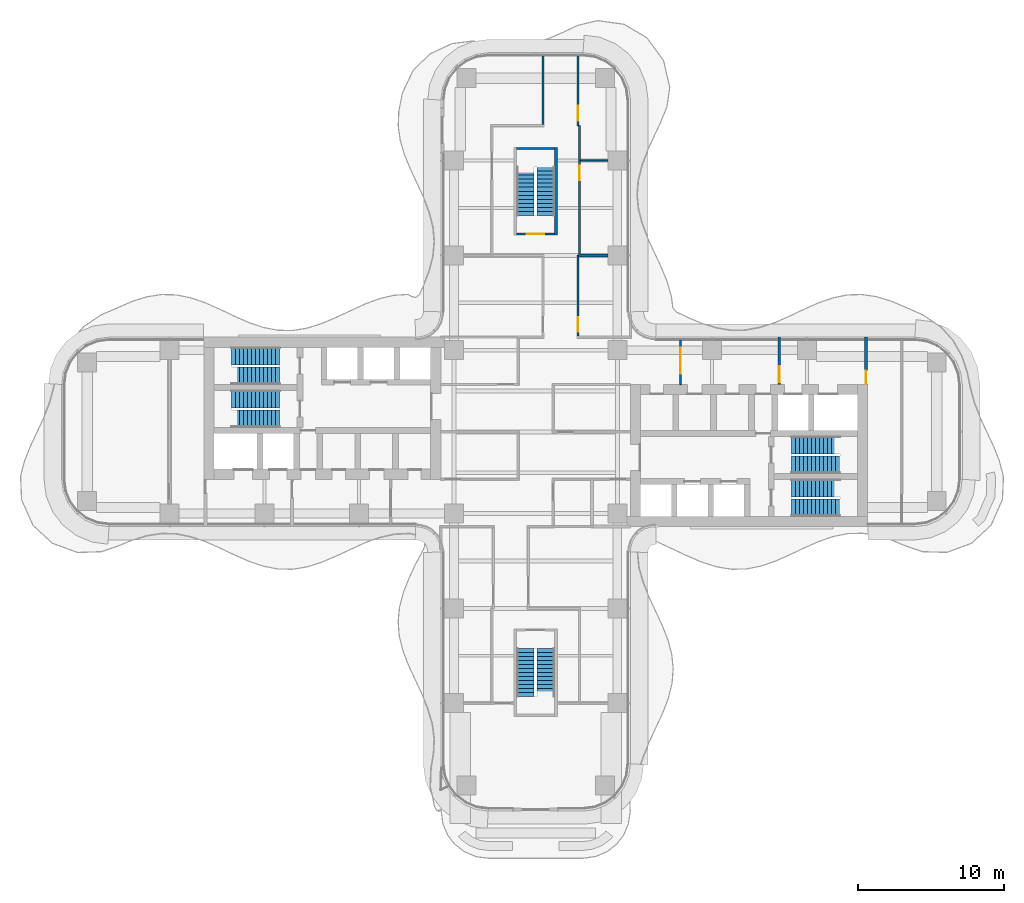
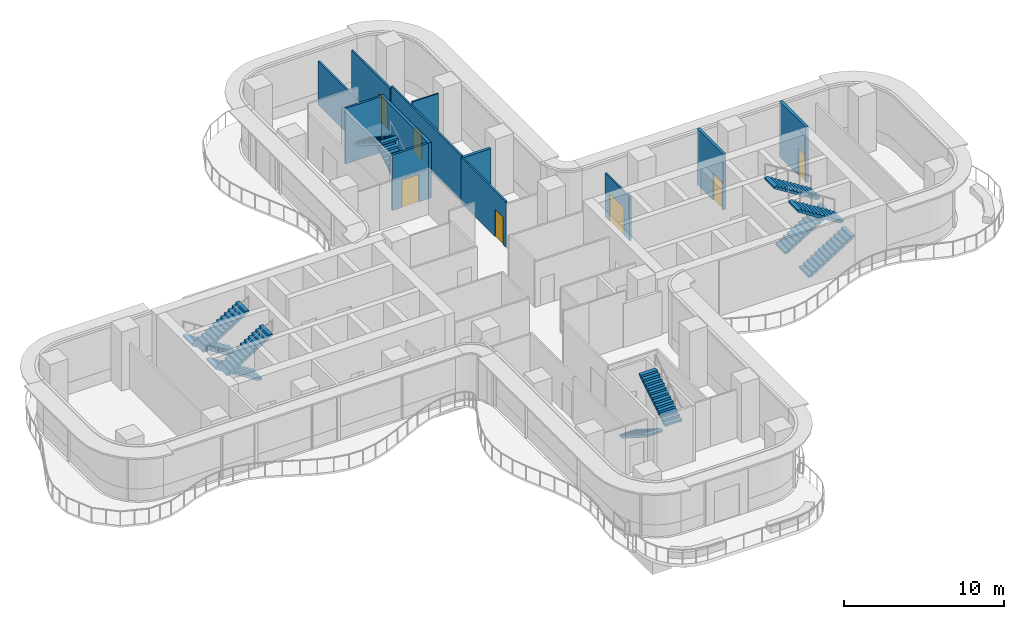
# One storey, part 20 of 22: 12 stair flights, 12 walls, 7 doors, 7 openings, 6 elements without a shape of their own.
"""IFC4 building model written with IfcOpenShell, lengths in metres."""

import ifcopenshell
import ifcopenshell.guid

model = None  # the IFC model being written
_history = None  # IfcOwnerHistory: only IFC2X3 demands one
_inside = {}  # id of a spatial element -> (the spatial element, [elements in it])
_under = {}  # id of a project, library or spatial element -> (it, [spatial elements below it])
_declared = {}  # id of a project -> (the project, [libraries it declares])
_typed = {}  # id of a type object -> (the type object, [elements of that type])
_made_of = {}  # id of a material, layer set ... -> (it, [elements and type objects made of it])


def new_model(schema):
    """Start an empty IFC model of exactly this schema.

    Asked for "IFC4X3", IfcOpenShell would pick the latest addendum, in which some entities
    have other attributes; the version numbers below select the first issue.
    IFC2X3 requires an IfcOwnerHistory on every rooted entity: one is made here for all.
    """
    global model, _history
    if schema == "IFC4X3":
        model = ifcopenshell.file(schema_version=(4, 3, 0, 0))
    else:
        model = ifcopenshell.file(schema=schema)
    _inside.clear()
    _under.clear()
    _declared.clear()
    _typed.clear()
    _made_of.clear()
    _history = None
    if model.schema == "IFC2X3":
        org = make("IfcOrganization", Name="unknown")
        user = make(
            "IfcPersonAndOrganization",
            ThePerson=make("IfcPerson", FamilyName="unknown"),
            TheOrganization=org,
        )
        app = make(
            "IfcApplication",
            ApplicationDeveloper=org,
            Version="unknown",
            ApplicationFullName="unknown",
            ApplicationIdentifier="unknown",
        )
        _history = make(
            "IfcOwnerHistory",
            OwningUser=user,
            OwningApplication=app,
            ChangeAction="ADDED",
            CreationDate=0,
        )
    return model


def make(cls, **values):
    """One entity of the class cls with the attributes given. An attribute that is None is left unset."""
    return model.create_entity(
        cls, **{name: value for name, value in values.items() if value is not None}
    )


def rooted(cls, **values):
    """An entity with a GlobalId (a new one), such as an element, a storey or a relation."""
    return make(cls, GlobalId=ifcopenshell.guid.new(), OwnerHistory=_history, **values)


def si_unit(unit_type, name, prefix=None):
    """IfcSIUnit, for example si_unit("LENGTHUNIT", "METRE", prefix="MILLI")."""
    return make("IfcSIUnit", UnitType=unit_type, Prefix=prefix, Name=name)


def assignment(units):
    """IfcUnitAssignment: the units of a project."""
    return None if units is None else make("IfcUnitAssignment", Units=units)


def point(xyz):
    """IfcCartesianPoint."""
    return None if xyz is None else make("IfcCartesianPoint", Coordinates=xyz)


def direction(xyz):
    """IfcDirection."""
    return None if xyz is None else make("IfcDirection", DirectionRatios=xyz)


def frame(location, z_axis=None, x_axis=None):
    """IfcAxis2Placement3D, a coordinate frame: its origin and axes. An axis left out is left unset."""
    return make(
        "IfcAxis2Placement3D",
        Location=point(location),
        Axis=direction(z_axis),
        RefDirection=direction(x_axis),
    )


def frame_2d(location, x_axis=None):
    """IfcAxis2Placement2D, a coordinate frame in the plane: its origin and x axis."""
    return make(
        "IfcAxis2Placement2D", Location=point(location), RefDirection=direction(x_axis)
    )


def origin():
    """The frame at (0, 0, 0) with its axes left unset."""
    return frame((0.0, 0.0, 0.0))


def place(relative_to, where):
    """IfcLocalPlacement: puts the frame where relative to a parent placement (None: the world)."""
    return make(
        "IfcLocalPlacement", PlacementRelTo=relative_to, RelativePlacement=where
    )


def context(
    kind, dimensions, precision=None, world=None, true_north=None, identifier=None
):
    """IfcGeometricRepresentationContext, for example the 3D "Model" context."""
    return make(
        "IfcGeometricRepresentationContext",
        ContextIdentifier=identifier,
        ContextType=kind,
        CoordinateSpaceDimension=dimensions,
        Precision=precision,
        WorldCoordinateSystem=world,
        TrueNorth=true_north,
    )


def subcontext(parent, identifier, kind, view, scale=None):
    """IfcGeometricRepresentationSubContext, for example "Body" below "Model"."""
    return make(
        "IfcGeometricRepresentationSubContext",
        ContextIdentifier=identifier,
        ContextType=kind,
        ParentContext=parent,
        TargetScale=scale,
        TargetView=view,
    )


def project(units=None, contexts=None):
    """IfcProject with its units and contexts."""
    return rooted(
        "IfcProject",
        Name="project",
        RepresentationContexts=contexts,
        UnitsInContext=assignment(units),
    )


def spatial(cls, under=None, at=None, **own):
    """A site, building, storey or space (cls), placed at a placement, below another one or the project."""
    s = rooted(cls, ObjectPlacement=at, **own)
    if under is not None:
        _under.setdefault(under.id(), (under, []))[1].append(s)
    return s


def polyline(points):
    """IfcPolyline through the points."""
    return make("IfcPolyline", Points=[point(p) for p in points])


def profile(cls, at=None, kind="AREA", **sizes):
    """A parametric profile (cls). Its sizes go by their IFC names, for example OverallWidth=200.0."""
    return make(cls, ProfileType=kind, Position=at, **sizes)


def rectangle(**sizes):
    """IfcRectangleProfileDef."""
    return profile("IfcRectangleProfileDef", **sizes)


def outline(outer, holes=None, kind="AREA"):
    """IfcArbitraryClosedProfileDef: a profile drawn as a closed curve; with holes, ...WithVoids."""
    if holes is None:
        return make("IfcArbitraryClosedProfileDef", ProfileType=kind, OuterCurve=outer)
    return make(
        "IfcArbitraryProfileDefWithVoids",
        ProfileType=kind,
        OuterCurve=outer,
        InnerCurves=holes,
    )


def extrude(swept, where, along, depth):
    """IfcExtrudedAreaSolid: the profile swept, set in the frame where, extruded along a direction by depth."""
    return make(
        "IfcExtrudedAreaSolid",
        SweptArea=swept,
        Position=where,
        ExtrudedDirection=direction(along),
        Depth=depth,
    )


def shape(context_of_items, identifier, shape_type, items):
    """IfcShapeRepresentation: the items that make up one representation, for example the "Body"."""
    return make(
        "IfcShapeRepresentation",
        ContextOfItems=context_of_items,
        RepresentationIdentifier=identifier,
        RepresentationType=shape_type,
        Items=items,
    )


def source(mapping_origin, context_of_items, identifier, shape_type, items):
    """IfcRepresentationMap: a shape defined once, which mapped items show again and again."""
    return make(
        "IfcRepresentationMap",
        MappingOrigin=mapping_origin,
        MappedRepresentation=shape(context_of_items, identifier, shape_type, items),
    )


def transform(
    local_origin,
    x_axis=None,
    y_axis=None,
    z_axis=None,
    scale=None,
    scale2=None,
    scale3=None,
    uniform=True,
):
    """IfcCartesianTransformationOperator3D, or its non-uniform kind. x_axis, y_axis, z_axis: its Axis1, 2, 3."""
    if uniform:
        return make(
            "IfcCartesianTransformationOperator3D",
            Axis1=direction(x_axis),
            Axis2=direction(y_axis),
            LocalOrigin=point(local_origin),
            Scale=scale,
            Axis3=direction(z_axis),
        )
    return make(
        "IfcCartesianTransformationOperator3DnonUniform",
        Axis1=direction(x_axis),
        Axis2=direction(y_axis),
        LocalOrigin=point(local_origin),
        Scale=scale,
        Axis3=direction(z_axis),
        Scale2=scale2,
        Scale3=scale3,
    )


def mapped(mapping_source, mapping_target):
    """IfcMappedItem: shows the shape of a source again, moved by a transform."""
    return make(
        "IfcMappedItem", MappingSource=mapping_source, MappingTarget=mapping_target
    )


def material(Name=None, Category=None):
    """IfcMaterial."""
    return make("IfcMaterial", Name=Name, Category=Category)


def layer(
    of_material, thickness, ventilated=None, Name=None, Category=None, Priority=None
):
    """IfcMaterialLayer: one layer of a wall or slab, of a material (None: an air gap)."""
    return make(
        "IfcMaterialLayer",
        Material=of_material,
        LayerThickness=thickness,
        IsVentilated=ventilated,
        Name=Name,
        Category=Category,
        Priority=Priority,
    )


def layer_set(layers, Name=None):
    """IfcMaterialLayerSet."""
    return make("IfcMaterialLayerSet", MaterialLayers=layers, LayerSetName=Name)


def made_of(thing, what):
    """Note that an element or type object is made of a material, layer set ...; save() writes the relation."""
    if what is not None:
        _made_of.setdefault(what.id(), (what, []))[1].append(thing)
    return thing


def type_object(cls, material=None, **own):
    """A type object (cls), such as IfcWallType, which elements share."""
    return made_of(rooted(cls, **own), material)


def element(
    cls,
    number,
    at=None,
    inside=None,
    cuts=None,
    type_object=None,
    material=None,
    context=None,
    identifier="Body",
    shape_type=None,
    held_by="IfcProductDefinitionShape",
    body=None,
    shapes=None,
    **own,
):
    """One element of the class cls, such as IfcWall. Its Tag is "e" and its number.

    at: its placement. inside: the storey or other place that contains it. cuts: it is an
    opening in that element (IfcRelVoidsElement). A single representation is given by context,
    identifier, shape_type and body (its items); several are given by shapes. held_by: the class
    of the entity that holds the representations. save() writes the other relations.
    """
    e = rooted(cls, Tag="e%d" % number, ObjectPlacement=at, **own)
    if body is not None:
        shapes = [shape(context, identifier, shape_type, body)]
    if shapes is not None:
        e.Representation = make(held_by, Representations=shapes)
    if inside is not None:
        _inside.setdefault(inside.id(), (inside, []))[1].append(e)
    if cuts is not None:
        rooted(
            "IfcRelVoidsElement", RelatingBuildingElement=cuts, RelatedOpeningElement=e
        )
    if type_object is not None:
        _typed.setdefault(type_object.id(), (type_object, []))[1].append(e)
    return made_of(e, material)


def fill(opening, filler):
    """IfcRelFillsElement: the door or window that sits in an opening."""
    return rooted(
        "IfcRelFillsElement",
        RelatingOpeningElement=opening,
        RelatedBuildingElement=filler,
    )


def aggregate(whole, parts):
    """IfcRelAggregates: a whole, such as a stair, and the parts it consists of."""
    return rooted("IfcRelAggregates", RelatingObject=whole, RelatedObjects=parts)


def save(model, path):
    """Write the relations noted so far, then the file.

    IfcRelAggregates (storeys below a building ...), IfcRelContainedInSpatialStructure (elements
    in a storey), IfcRelDefinesByType, IfcRelAssociatesMaterial and IfcRelDeclares: one each for
    every whole, place, type object, material and project.
    """
    for whole, parts in _under.values():
        aggregate(whole, parts)
    for where, things in _inside.values():
        rooted(
            "IfcRelContainedInSpatialStructure",
            RelatedElements=things,
            RelatingStructure=where,
        )
    for kind, things in _typed.values():
        rooted("IfcRelDefinesByType", RelatedObjects=things, RelatingType=kind)
    for what, things in _made_of.values():
        rooted("IfcRelAssociatesMaterial", RelatedObjects=things, RelatingMaterial=what)
    for by, libraries in _declared.values():
        rooted("IfcRelDeclares", RelatingContext=by, RelatedDefinitions=libraries)
    model.write(path)


model = new_model("IFC4")

# Units and contexts
model_context = context("Model", 3, precision=1e-05, world=origin(), true_north=direction((0.0, 1.0)))
body_context = subcontext(model_context, "Body", "Model", "MODEL_VIEW")
ifc_project = project(units=[si_unit("LENGTHUNIT", "METRE"), si_unit("AREAUNIT", "SQUARE_METRE"), si_unit("VOLUMEUNIT", "CUBIC_METRE"), si_unit("PLANEANGLEUNIT", "RADIAN"), si_unit("MASSUNIT", "GRAM", prefix="KILO")], contexts=[model_context])

# Site, building, storey
site_placement = place(None, origin())
site = spatial("IfcSite", under=ifc_project, at=site_placement, CompositionType="ELEMENT")
building_placement = place(site_placement, origin())
building = spatial("IfcBuilding", under=site, at=building_placement, Name="Trellis Farm Tower", CompositionType="ELEMENT")
storey_placement = place(building_placement, frame((0.0, 0.0, 124.5)))
storey = spatial("IfcBuildingStorey", under=building, at=storey_placement, Name="L26", CompositionType="ELEMENT", Elevation=124.5)

# Wall, opening, door
ifc_material_1 = material(Name="Masonry blockwork", Category="masonry")
ifc_layer_1 = layer(ifc_material_1, 0.199951171875)
ifc_layer_set_1 = layer_set([ifc_layer_1], Name="FIRE LOBBY PARTITION 200 BLOCKWORK")
wall_type_1 = type_object("IfcWallType", Name="FIRE LOBBY PARTITION 200 BLOCKWORK", PredefinedType="PARTITIONING", material=ifc_layer_set_1)
shared_shape_1 = source(origin(), body_context, "Body", "SweptSolid", [
    extrude(rectangle(XDim=3.25, YDim=0.199951171875, at=frame_2d((1.625, 0.0))), origin(), (0.0, 0.0, 1.0), 4.25),
])
wall_1_placement = place(storey_placement, frame((16.699951171875, 3.25, 0.0), z_axis=(0.0, 0.0, 1.0), x_axis=(0.0, 1.0, 0.0)))
wall_1 = element("IfcWall", 1, at=wall_1_placement, inside=storey, type_object=wall_type_1, Name="Fire-fighting lobby partition", PredefinedType="PARTITIONING", context=body_context, shape_type="MappedRepresentation", body=[
    mapped(shared_shape_1, transform((0.0, 0.0, 0.0))),
])
shared_shape_2 = source(origin(), body_context, "Body", "SweptSolid", [
    extrude(rectangle(XDim=1.10009765625, YDim=2.10009765625, at=frame_2d((0.550048828125, 1.050048828125))), frame((0.0, 0.110107421875, 0.0), z_axis=(0.0, -1.0, 0.0), x_axis=(1.0, 0.0, 0.0)), (0.0, 0.0, 1.0), 0.22021484375),
])
opening_1_placement = place(wall_1_placement, frame((0.14990234375, 0.0, 0.0)))
opening_1 = element("IfcOpeningElement", 2, at=opening_1_placement, cuts=wall_1, Name="Opening DC7", PredefinedType="OPENING", context=body_context, shape_type="MappedRepresentation", body=[
    mapped(shared_shape_2, transform((0.0, 0.0, 0.0))),
])
ifc_material_2 = material(Name="Steel", Category="steel")
door_type_1 = type_object("IfcDoorType", Name="CORE FIRE DOOR 1100 X 2100", OperationType="NOTDEFINED", PredefinedType="DOOR", material=ifc_material_2)
shared_shape_3 = source(origin(), body_context, "Body", "SweptSolid", [
    extrude(rectangle(XDim=1.10009765625, YDim=2.10009765625, at=frame_2d((0.550048828125, 1.050048828125))), frame((0.0, 0.02490234375, 0.0), z_axis=(0.0, -1.0, 0.0), x_axis=(1.0, 0.0, 0.0)), (0.0, 0.0, 1.0), 0.050048828125),
])
door_1_placement = place(opening_1_placement, origin())
door_1 = element("IfcDoor", 3, at=door_1_placement, inside=storey, type_object=door_type_1, Name="Core door", OperationType="SINGLE_SWING_RIGHT", OverallHeight=2.10009765625, OverallWidth=1.10009765625, PredefinedType="DOOR", context=body_context, shape_type="MappedRepresentation", body=[
    mapped(shared_shape_3, transform((0.0, 0.0, 0.0))),
])
fill(opening_1, door_1)

wall_2_placement = place(storey_placement, frame((22.64990234375, 3.25, 0.0), z_axis=(0.0, 0.0, 1.0), x_axis=(0.0, 1.0, 0.0)))
wall_2 = element("IfcWall", 4, at=wall_2_placement, inside=storey, type_object=wall_type_1, Name="Fire-fighting lobby partition", PredefinedType="PARTITIONING", context=body_context, shape_type="MappedRepresentation", body=[
    mapped(shared_shape_1, transform((0.0, 0.0, 0.0))),
])
shared_shape_4 = source(origin(), body_context, "Body", "SweptSolid", [
    extrude(rectangle(XDim=0.89990234375, YDim=2.10009765625, at=frame_2d((0.449951171875, 1.050048828125))), frame((0.0, 0.110107421875, 0.0), z_axis=(0.0, -1.0, 0.0), x_axis=(1.0, 0.0, 0.0)), (0.0, 0.0, 1.0), 0.22021484375),
])
opening_2_placement = place(wall_2_placement, frame((0.050048828125, 0.0, 0.0)))
opening_2 = element("IfcOpeningElement", 5, at=opening_2_placement, cuts=wall_2, Name="Opening DC8", PredefinedType="OPENING", context=body_context, shape_type="MappedRepresentation", body=[
    mapped(shared_shape_4, transform((0.0, 0.0, 0.0))),
])
door_type_2 = type_object("IfcDoorType", Name="CORE FIRE DOOR 900 X 2100", OperationType="NOTDEFINED", PredefinedType="DOOR", material=ifc_material_2)
shared_shape_5 = source(origin(), body_context, "Body", "SweptSolid", [
    extrude(rectangle(XDim=0.89990234375, YDim=2.10009765625, at=frame_2d((0.449951171875, 1.050048828125))), frame((0.0, 0.02490234375, 0.0), z_axis=(0.0, -1.0, 0.0), x_axis=(1.0, 0.0, 0.0)), (0.0, 0.0, 1.0), 0.050048828125),
])
door_2_placement = place(opening_2_placement, origin())
door_2 = element("IfcDoor", 6, at=door_2_placement, inside=storey, type_object=door_type_2, Name="Core door", OperationType="SINGLE_SWING_RIGHT", OverallHeight=2.10009765625, OverallWidth=0.89990234375, PredefinedType="DOOR", context=body_context, shape_type="MappedRepresentation", body=[
    mapped(shared_shape_5, transform((0.0, 0.0, 0.0))),
])
fill(opening_2, door_2)

# Wall
ifc_material_3 = material(Name="Concrete C70/85", Category="concrete")
ifc_layer_2 = layer(ifc_material_3, 0.199951171875)
ifc_layer_set_2 = layer_set([ifc_layer_2], Name="CORE STAIR ENCLOSURE WALL 200 CONCRETE C70/85")
wall_type_2 = type_object("IfcWallType", Name="CORE STAIR ENCLOSURE WALL 200 CONCRETE C70/85", PredefinedType="SHEAR", material=ifc_layer_set_2)
shared_shape_6 = source(origin(), body_context, "Body", "SweptSolid", [
    extrude(rectangle(XDim=6.0, YDim=0.199951171875, at=frame_2d((3.0, 0.0))), origin(), (0.0, 0.0, 1.0), 4.25),
])
wall_3_placement = place(storey_placement, frame((1.39990234375, 13.5, 0.0), z_axis=(0.0, 0.0, 1.0), x_axis=(0.0, 1.0, 0.0)))
element("IfcWall", 7, at=wall_3_placement, inside=storey, type_object=wall_type_2, Name="Stair enclosure wall", PredefinedType="SHEAR", context=body_context, shape_type="MappedRepresentation", body=[
    mapped(shared_shape_6, transform((0.0, 0.0, 0.0))),
])

# Wall, opening, door
ifc_layer_3 = layer(ifc_material_3, 0.14990234375)
ifc_layer_set_3 = layer_set([ifc_layer_3], Name="CORE STAIR ENCLOSURE WALL 150 CONCRETE C70/85")
wall_type_3 = type_object("IfcWallType", Name="CORE STAIR ENCLOSURE WALL 150 CONCRETE C70/85", PredefinedType="SHEAR", material=ifc_layer_set_3)
shared_shape_7 = source(origin(), body_context, "Body", "SweptSolid", [
    extrude(rectangle(XDim=2.60009765625, YDim=0.14990234375, at=frame_2d((1.300048828125, 0.0))), origin(), (0.0, 0.0, 1.0), 4.25),
])
wall_4_placement = place(storey_placement, frame((-1.300048828125, 13.574951171875, 0.0), z_axis=(0.0, 0.0, 1.0), x_axis=(1.0, 0.0, 0.0)))
wall_4 = element("IfcWall", 8, at=wall_4_placement, inside=storey, type_object=wall_type_3, Name="Stair enclosure wall", PredefinedType="SHEAR", context=body_context, shape_type="MappedRepresentation", body=[
    mapped(shared_shape_7, transform((0.0, 0.0, 0.0))),
])
shared_shape_8 = source(origin(), body_context, "Body", "SweptSolid", [
    extrude(rectangle(XDim=1.199951171875, YDim=2.10009765625, at=frame_2d((0.60009765625, 1.050048828125))), frame((0.0, 0.0849609375, 0.0), z_axis=(0.0, -1.0, 0.0), x_axis=(1.0, 0.0, 0.0)), (0.0, 0.0, 1.0), 0.169921875),
])
opening_3_placement = place(wall_4_placement, frame((0.699951171875, 0.0, 0.0)))
opening_3 = element("IfcOpeningElement", 9, at=opening_3_placement, cuts=wall_4, Name="Opening DC173", PredefinedType="OPENING", context=body_context, shape_type="MappedRepresentation", body=[
    mapped(shared_shape_8, transform((0.0, 0.0, 0.0))),
])
door_type_3 = type_object("IfcDoorType", Name="CORE FIRE DOOR 1200 X 2100", OperationType="NOTDEFINED", PredefinedType="DOOR", material=ifc_material_2)
shared_shape_9 = source(origin(), body_context, "Body", "SweptSolid", [
    extrude(rectangle(XDim=1.199951171875, YDim=2.10009765625, at=frame_2d((0.60009765625, 1.050048828125))), frame((0.0, 0.02490234375, 0.0), z_axis=(0.0, -1.0, 0.0), x_axis=(1.0, 0.0, 0.0)), (0.0, 0.0, 1.0), 0.050048828125),
])
door_3_placement = place(opening_3_placement, origin())
door_3 = element("IfcDoor", 10, at=door_3_placement, inside=storey, type_object=door_type_3, Name="Core door", OperationType="SINGLE_SWING_LEFT", OverallHeight=2.10009765625, OverallWidth=1.199951171875, PredefinedType="DOOR", context=body_context, shape_type="MappedRepresentation", body=[
    mapped(shared_shape_9, transform((0.0, 0.0, 0.0))),
])
fill(opening_3, door_3)

# Wall
wall_5_placement = place(storey_placement, frame((-1.300048828125, 19.425048828125, 0.0), z_axis=(0.0, 0.0, 1.0), x_axis=(1.0, 0.0, 0.0)))
element("IfcWall", 11, at=wall_5_placement, inside=storey, type_object=wall_type_3, Name="Stair enclosure wall", PredefinedType="SHEAR", context=body_context, shape_type="MappedRepresentation", body=[
    mapped(shared_shape_7, transform((0.0, 0.0, 0.0))),
])

# Wall, opening, door
ifc_material_4 = material(Name="Plasterboard on steel studs, mineral wool", Category="steel")
ifc_layer_4 = layer(ifc_material_4, 0.125)
ifc_layer_set_4 = layer_set([ifc_layer_4], Name="PARTITION 125 STUD EI 60")
wall_type_4 = type_object("IfcWallType", Name="PARTITION 125 STUD EI 60", PredefinedType="PARTITIONING", material=ifc_layer_set_4)
shared_shape_10 = source(origin(), body_context, "Body", "SweptSolid", [
    extrude(rectangle(XDim=3.050048828125, YDim=0.125, at=frame_2d((1.52490234375, 0.0))), origin(), (0.0, 0.0, 1.0), 3.330078125),
])
wall_6_placement = place(storey_placement, frame((9.93408203125, 3.25, 0.0), z_axis=(0.0, 0.0, 1.0), x_axis=(0.0, 1.0, 0.0)))
wall_6 = element("IfcWall", 12, at=wall_6_placement, inside=storey, type_object=wall_type_4, Name="Partition PW1", PredefinedType="PARTITIONING", context=body_context, shape_type="MappedRepresentation", body=[
    mapped(shared_shape_10, transform((0.0, 0.0, 0.0))),
])
shared_shape_11 = source(origin(), body_context, "Body", "SweptSolid", [
    extrude(rectangle(XDim=1.800048828125, YDim=2.10009765625, at=frame_2d((0.89990234375, 1.050048828125))), frame((0.0, 0.072509765625, 0.0), z_axis=(0.0, -1.0, 0.0), x_axis=(1.0, 0.0, 0.0)), (0.0, 0.0, 1.0), 0.14501953125),
])
opening_4_placement = place(wall_6_placement, frame((0.72509765625, 0.0, 0.0)))
opening_4 = element("IfcOpeningElement", 13, at=opening_4_placement, cuts=wall_6, Name="Opening D402", PredefinedType="OPENING", context=body_context, shape_type="MappedRepresentation", body=[
    mapped(shared_shape_11, transform((0.0, 0.0, 0.0))),
])
ifc_material_5 = material(Name="Fire-rated timber door leaf in a hollow metal frame", Category="wood")
door_type_4 = type_object("IfcDoorType", Name="DOOR PAIR 1800x2100 FD60", OperationType="NOTDEFINED", PredefinedType="DOOR", material=ifc_material_5)
shared_shape_12 = source(origin(), body_context, "Body", "SweptSolid", [
    extrude(rectangle(XDim=1.800048828125, YDim=2.10009765625, at=frame_2d((0.89990234375, 1.050048828125))), frame((0.0, 0.02490234375, 0.0), z_axis=(0.0, -1.0, 0.0), x_axis=(1.0, 0.0, 0.0)), (0.0, 0.0, 1.0), 0.050048828125),
])
door_4_placement = place(opening_4_placement, origin())
door_4 = element("IfcDoor", 14, at=door_4_placement, inside=storey, type_object=door_type_4, Name="Door D402", OperationType="DOUBLE_DOOR_SINGLE_SWING", OverallHeight=2.10009765625, OverallWidth=1.800048828125, PredefinedType="DOOR", context=body_context, shape_type="MappedRepresentation", body=[
    mapped(shared_shape_12, transform((0.0, 0.0, 0.0))),
])
fill(opening_4, door_4)

# Wall
shared_shape_13 = source(origin(), body_context, "Body", "SweptSolid", [
    extrude(rectangle(XDim=4.737548828125, YDim=0.125, at=frame_2d((2.36865234375, 0.0))), origin(), (0.0, 0.0, 1.0), 3.330078125),
])
wall_7_placement = place(storey_placement, frame((0.5, 25.800048828125, 0.0), z_axis=(0.0, 0.0, 1.0), x_axis=(0.0, -1.0, 0.0)))
element("IfcWall", 15, at=wall_7_placement, inside=storey, type_object=wall_type_4, Name="Partition PW1", PredefinedType="PARTITIONING", context=body_context, shape_type="MappedRepresentation", body=[
    mapped(shared_shape_13, transform((0.0, 0.0, 0.0))),
])

# Wall, opening, door
shared_shape_14 = source(origin(), body_context, "Body", "SweptSolid", [
    extrude(rectangle(XDim=5.53759765625, YDim=0.125, at=frame_2d((2.768798828125, 0.0))), origin(), (0.0, 0.0, 1.0), 3.4677734375),
])
wall_8_placement = place(storey_placement, frame((2.89990234375, 12.10009765625, 0.0), z_axis=(0.0, 0.0, 1.0), x_axis=(0.0, -1.0, 0.0)))
wall_8 = element("IfcWall", 16, at=wall_8_placement, inside=storey, type_object=wall_type_4, Name="Partition PW1", PredefinedType="PARTITIONING", context=body_context, shape_type="MappedRepresentation", body=[
    mapped(shared_shape_14, transform((0.0, 0.0, 0.0))),
])
shared_shape_15 = source(origin(), body_context, "Body", "SweptSolid", [
    extrude(rectangle(XDim=1.0, YDim=2.10009765625, at=frame_2d((0.5, 1.050048828125))), frame((0.0, 0.072509765625, 0.0), z_axis=(0.0, -1.0, 0.0), x_axis=(1.0, 0.0, 0.0)), (0.0, 0.0, 1.0), 0.14501953125),
])
opening_5_placement = place(wall_8_placement, frame((4.25, 0.0, 0.0)))
opening_5 = element("IfcOpeningElement", 17, at=opening_5_placement, cuts=wall_8, Name="Opening D302", PredefinedType="OPENING", context=body_context, shape_type="MappedRepresentation", body=[
    mapped(shared_shape_15, transform((0.0, 0.0, 0.0))),
])
door_type_5 = type_object("IfcDoorType", Name="DOOR 1000x2100 FD60", OperationType="NOTDEFINED", PredefinedType="DOOR", material=ifc_material_5)
shared_shape_16 = source(origin(), body_context, "Body", "SweptSolid", [
    extrude(rectangle(XDim=1.0, YDim=2.10009765625, at=frame_2d((0.5, 1.050048828125))), frame((0.0, 0.02490234375, 0.0), z_axis=(0.0, -1.0, 0.0), x_axis=(1.0, 0.0, 0.0)), (0.0, 0.0, 1.0), 0.050048828125),
])
door_5_placement = place(opening_5_placement, origin())
door_5 = element("IfcDoor", 18, at=door_5_placement, inside=storey, type_object=door_type_5, Name="Door D302", OperationType="SINGLE_SWING_RIGHT", OverallHeight=2.10009765625, OverallWidth=1.0, PredefinedType="DOOR", context=body_context, shape_type="MappedRepresentation", body=[
    mapped(shared_shape_16, transform((0.0, 0.0, 0.0))),
])
fill(opening_5, door_5)

# Wall
ifc_material_6 = material(Name="Lightweight blockwork, plastered", Category="masonry")
ifc_layer_5 = layer(ifc_material_6, 0.199951171875)
ifc_layer_set_5 = layer_set([ifc_layer_5], Name="BLOCK WALL 200 EI 120")
wall_type_5 = type_object("IfcWallType", Name="BLOCK WALL 200 EI 120", PredefinedType="PARTITIONING", material=ifc_layer_set_5)
shared_shape_17 = source(origin(), body_context, "Body", "SweptSolid", [
    extrude(rectangle(XDim=2.012451171875, YDim=0.199951171875, at=frame_2d((1.00634765625, 0.0))), origin(), (0.0, 0.0, 1.0), 3.4677734375),
])
wall_9_placement = place(storey_placement, frame((2.9375, 12.10009765625, 0.0), z_axis=(0.0, 0.0, 1.0), x_axis=(1.0, 0.0, 0.0)))
element("IfcWall", 19, at=wall_9_placement, inside=storey, type_object=wall_type_5, Name="Partition PW3", PredefinedType="PARTITIONING", context=body_context, shape_type="MappedRepresentation", body=[
    mapped(shared_shape_17, transform((0.0, 0.0, 0.0))),
])

# Wall, opening, door
shared_shape_18 = source(origin(), body_context, "Body", "SweptSolid", [
    extrude(rectangle(XDim=4.800048828125, YDim=0.125, at=frame_2d((2.39990234375, 0.0))), origin(), (0.0, 0.0, 1.0), 3.330078125),
])
wall_10_placement = place(storey_placement, frame((2.89990234375, 25.800048828125, 0.0), z_axis=(0.0, 0.0, 1.0), x_axis=(0.0, -1.0, 0.0)))
wall_10 = element("IfcWall", 20, at=wall_10_placement, inside=storey, type_object=wall_type_4, Name="Partition PW1", PredefinedType="PARTITIONING", context=body_context, shape_type="MappedRepresentation", body=[
    mapped(shared_shape_18, transform((0.0, 0.0, 0.0))),
])
opening_6_placement = place(wall_10_placement, frame((3.449951171875, 0.0, 0.0)))
opening_6 = element("IfcOpeningElement", 21, at=opening_6_placement, cuts=wall_10, Name="Opening D108", PredefinedType="OPENING", context=body_context, shape_type="MappedRepresentation", body=[
    mapped(shared_shape_15, transform((0.0, 0.0, 0.0))),
])
door_type_6 = type_object("IfcDoorType", Name="DOOR 1000x2100 FD30S", OperationType="NOTDEFINED", PredefinedType="DOOR", material=ifc_material_5)
door_6_placement = place(opening_6_placement, origin())
door_6 = element("IfcDoor", 22, at=door_6_placement, inside=storey, type_object=door_type_6, Name="Door D108", OperationType="SINGLE_SWING_RIGHT", OverallHeight=2.10009765625, OverallWidth=1.0, PredefinedType="DOOR", context=body_context, shape_type="MappedRepresentation", body=[
    mapped(shared_shape_16, transform((0.0, 0.0, 0.0))),
])
fill(opening_6, door_6)

shared_shape_19 = source(origin(), body_context, "Body", "SweptSolid", [
    extrude(rectangle(XDim=8.800048828125, YDim=0.125, at=frame_2d((4.39990234375, 0.0))), origin(), (0.0, 0.0, 1.0), 3.4677734375),
])
wall_11_placement = place(storey_placement, frame((3.0, 21.0, 0.0), z_axis=(0.0, 0.0, 1.0), x_axis=(0.0, -1.0, 0.0)))
wall_11 = element("IfcWall", 23, at=wall_11_placement, inside=storey, type_object=wall_type_4, Name="Partition PW1", PredefinedType="PARTITIONING", context=body_context, shape_type="MappedRepresentation", body=[
    mapped(shared_shape_19, transform((0.0, 0.0, 0.0))),
])
opening_7_placement = place(wall_11_placement, frame((2.75, 0.0, 0.0)))
opening_7 = element("IfcOpeningElement", 24, at=opening_7_placement, cuts=wall_11, Name="Opening D107", PredefinedType="OPENING", context=body_context, shape_type="MappedRepresentation", body=[
    mapped(shared_shape_15, transform((0.0, 0.0, 0.0))),
])
door_7_placement = place(opening_7_placement, origin())
door_7 = element("IfcDoor", 25, at=door_7_placement, inside=storey, type_object=door_type_6, Name="Door D107", OperationType="SINGLE_SWING_LEFT", OverallHeight=2.10009765625, OverallWidth=1.0, PredefinedType="DOOR", context=body_context, shape_type="MappedRepresentation", body=[
    mapped(shared_shape_16, transform((0.0, 0.0, 0.0))),
])
fill(opening_7, door_7)

# Wall
ifc_material_7 = material(Name="Plasterboard on steel studs", Category="steel")
ifc_layer_6 = layer(ifc_material_7, 0.10009765625)
ifc_layer_set_6 = layer_set([ifc_layer_6], Name="PARTITION 100 STUD EI 30")
wall_type_6 = type_object("IfcWallType", Name="PARTITION 100 STUD EI 30", PredefinedType="PARTITIONING", material=ifc_layer_set_6)
shared_shape_20 = source(origin(), body_context, "Body", "SweptSolid", [
    extrude(rectangle(XDim=1.887451171875, YDim=0.10009765625, at=frame_2d((0.94384765625, 0.0))), origin(), (0.0, 0.0, 1.0), 3.697021484375),
])
wall_12_placement = place(storey_placement, frame((3.0625, 18.60009765625, 0.0), z_axis=(0.0, 0.0, 1.0), x_axis=(1.0, 0.0, 0.0)))
element("IfcWall", 26, at=wall_12_placement, inside=storey, type_object=wall_type_6, Name="Partition PW2", PredefinedType="PARTITIONING", context=body_context, shape_type="MappedRepresentation", body=[
    mapped(shared_shape_20, transform((0.0, 0.0, 0.0))),
])

# Stair, stair flights
ifc_material_8 = material(Name="Concrete C50/60", Category="concrete")
stair_type = type_object("IfcStairType", Name="CORE EXIT STAIR 26 RISERS 173 MM", PredefinedType="HALF_TURN_STAIR", material=ifc_material_8)
placement = place(storey_placement, origin())
stair_1 = element("IfcStair", 27, at=placement, inside=storey, type_object=stair_type, Name="Exit stair N", PredefinedType="HALF_TURN_STAIR")
stair_flight_type = type_object("IfcStairFlightType", Name="STAIR FLIGHT 13 RISERS 173 MM", PredefinedType="STRAIGHT", material=ifc_material_8)
shared_shape_21 = source(origin(), body_context, "Body", "SweptSolid", [
    extrude(outline(polyline([(0.0, 0.0), (0.0, 0.173095703125), (0.27490234375, 0.173095703125), (0.27490234375, 0.34619140625), (0.550048828125, 0.34619140625), (0.550048828125, 0.519287109375), (0.824951171875, 0.519287109375), (0.824951171875, 0.6923828125), (1.10009765625, 0.6923828125), (1.10009765625, 0.865478515625), (1.375, 0.865478515625), (1.375, 1.03857421875), (1.64990234375, 1.03857421875), (1.64990234375, 1.21142578125), (1.925048828125, 1.21142578125), (1.925048828125, 1.384521484375), (2.199951171875, 1.384521484375), (2.199951171875, 1.5576171875), (2.47509765625, 1.5576171875), (2.47509765625, 1.730712890625), (2.75, 1.730712890625), (2.75, 1.90380859375), (3.02490234375, 1.90380859375), (3.02490234375, 2.076904296875), (3.300048828125, 2.076904296875), (3.300048828125, 2.25), (3.300048828125, 1.92333984375), (0.243896484375, 0.0), (0.0, 0.0)])), frame((0.0, 0.60009765625, 0.0), z_axis=(0.0, -1.0, 0.0), x_axis=(1.0, 0.0, 0.0)), (0.0, 0.0, 1.0), 1.199951171875),
])
stair_flight_1_placement = place(storey_placement, frame((0.699951171875, 14.85009765625, 0.0), z_axis=(0.0, 0.0, 1.0), x_axis=(0.0, 1.0, 0.0)))
stair_flight_1 = element("IfcStairFlight", 28, at=stair_flight_1_placement, type_object=stair_flight_type, Name="STN flight 1", NumberOfRisers=13, NumberOfTreads=12, PredefinedType="STRAIGHT", RiserHeight=0.173076923, TreadLength=0.275, context=body_context, shape_type="MappedRepresentation", body=[
    mapped(shared_shape_21, transform((0.0, 0.0, 0.0))),
])
stair_flight_2_placement = place(storey_placement, frame((-0.699951171875, 18.14990234375, 2.25), z_axis=(0.0, 0.0, 1.0), x_axis=(0.0, -1.0, 0.0)))
stair_flight_2 = element("IfcStairFlight", 29, at=stair_flight_2_placement, type_object=stair_flight_type, Name="STN flight 2", NumberOfRisers=13, NumberOfTreads=12, PredefinedType="STRAIGHT", RiserHeight=0.173076923, TreadLength=0.275, context=body_context, shape_type="MappedRepresentation", body=[
    mapped(shared_shape_21, transform((0.0, 0.0, 0.0))),
])
aggregate(stair_1, [stair_flight_1, stair_flight_2])

stair_2 = element("IfcStair", 30, at=placement, inside=storey, type_object=stair_type, Name="Exit stair S", PredefinedType="HALF_TURN_STAIR")
stair_flight_3_placement = place(storey_placement, frame((-0.699951171875, -14.85009765625, 0.0), z_axis=(0.0, 0.0, 1.0), x_axis=(0.0, -1.0, 0.0)))
stair_flight_3 = element("IfcStairFlight", 31, at=stair_flight_3_placement, type_object=stair_flight_type, Name="STS flight 1", NumberOfRisers=13, NumberOfTreads=12, PredefinedType="STRAIGHT", RiserHeight=0.173076923, TreadLength=0.275, context=body_context, shape_type="MappedRepresentation", body=[
    mapped(shared_shape_21, transform((0.0, 0.0, 0.0))),
])
stair_flight_4_placement = place(storey_placement, frame((0.699951171875, -18.14990234375, 2.25), z_axis=(0.0, 0.0, 1.0), x_axis=(0.0, 1.0, 0.0)))
stair_flight_4 = element("IfcStairFlight", 32, at=stair_flight_4_placement, type_object=stair_flight_type, Name="STS flight 2", NumberOfRisers=13, NumberOfTreads=12, PredefinedType="STRAIGHT", RiserHeight=0.173076923, TreadLength=0.275, context=body_context, shape_type="MappedRepresentation", body=[
    mapped(shared_shape_21, transform((0.0, 0.0, 0.0))),
])
aggregate(stair_2, [stair_flight_3, stair_flight_4])

stair_3 = element("IfcStair", 33, at=placement, inside=storey, type_object=stair_type, Name="Exit stair E1", PredefinedType="HALF_TURN_STAIR")
stair_flight_5_placement = place(storey_placement, frame((17.550048828125, -5.199951171875, 0.0), z_axis=(0.0, 0.0, 1.0), x_axis=(1.0, 0.0, 0.0)))
stair_flight_5 = element("IfcStairFlight", 34, at=stair_flight_5_placement, type_object=stair_flight_type, Name="STE1 flight 1", NumberOfRisers=13, NumberOfTreads=12, PredefinedType="STRAIGHT", RiserHeight=0.173076923, TreadLength=0.275, context=body_context, shape_type="MappedRepresentation", body=[
    mapped(shared_shape_21, transform((0.0, 0.0, 0.0))),
])
stair_flight_6_placement = place(storey_placement, frame((20.85009765625, -3.85009765625, 2.25), z_axis=(0.0, 0.0, 1.0), x_axis=(-1.0, 0.0, 0.0)))
stair_flight_6 = element("IfcStairFlight", 35, at=stair_flight_6_placement, type_object=stair_flight_type, Name="STE1 flight 2", NumberOfRisers=13, NumberOfTreads=12, PredefinedType="STRAIGHT", RiserHeight=0.173076923, TreadLength=0.275, context=body_context, shape_type="MappedRepresentation", body=[
    mapped(shared_shape_21, transform((0.0, 0.0, 0.0))),
])
aggregate(stair_3, [stair_flight_5, stair_flight_6])

stair_4 = element("IfcStair", 36, at=placement, inside=storey, type_object=stair_type, Name="Exit stair E2", PredefinedType="HALF_TURN_STAIR")
stair_flight_7_placement = place(storey_placement, frame((17.550048828125, -2.25, 0.0), z_axis=(0.0, 0.0, 1.0), x_axis=(1.0, 0.0, 0.0)))
stair_flight_7 = element("IfcStairFlight", 37, at=stair_flight_7_placement, type_object=stair_flight_type, Name="STE2 flight 1", NumberOfRisers=13, NumberOfTreads=12, PredefinedType="STRAIGHT", RiserHeight=0.173076923, TreadLength=0.275, context=body_context, shape_type="MappedRepresentation", body=[
    mapped(shared_shape_21, transform((0.0, 0.0, 0.0))),
])
stair_flight_8_placement = place(storey_placement, frame((20.85009765625, -0.89990234375, 2.25), z_axis=(0.0, 0.0, 1.0), x_axis=(-1.0, 0.0, 0.0)))
stair_flight_8 = element("IfcStairFlight", 38, at=stair_flight_8_placement, type_object=stair_flight_type, Name="STE2 flight 2", NumberOfRisers=13, NumberOfTreads=12, PredefinedType="STRAIGHT", RiserHeight=0.173076923, TreadLength=0.275, context=body_context, shape_type="MappedRepresentation", body=[
    mapped(shared_shape_21, transform((0.0, 0.0, 0.0))),
])
aggregate(stair_4, [stair_flight_7, stair_flight_8])

stair_5 = element("IfcStair", 39, at=placement, inside=storey, type_object=stair_type, Name="Exit stair W1", PredefinedType="HALF_TURN_STAIR")
stair_flight_9_placement = place(storey_placement, frame((-17.550048828125, 5.199951171875, 0.0), z_axis=(0.0, 0.0, 1.0), x_axis=(-1.0, 0.0, 0.0)))
stair_flight_9 = element("IfcStairFlight", 40, at=stair_flight_9_placement, type_object=stair_flight_type, Name="STW1 flight 1", NumberOfRisers=13, NumberOfTreads=12, PredefinedType="STRAIGHT", RiserHeight=0.173076923, TreadLength=0.275, context=body_context, shape_type="MappedRepresentation", body=[
    mapped(shared_shape_21, transform((0.0, 0.0, 0.0))),
])
stair_flight_10_placement = place(storey_placement, frame((-20.85009765625, 3.85009765625, 2.25), z_axis=(0.0, 0.0, 1.0), x_axis=(1.0, 0.0, 0.0)))
stair_flight_10 = element("IfcStairFlight", 41, at=stair_flight_10_placement, type_object=stair_flight_type, Name="STW1 flight 2", NumberOfRisers=13, NumberOfTreads=12, PredefinedType="STRAIGHT", RiserHeight=0.173076923, TreadLength=0.275, context=body_context, shape_type="MappedRepresentation", body=[
    mapped(shared_shape_21, transform((0.0, 0.0, 0.0))),
])
aggregate(stair_5, [stair_flight_9, stair_flight_10])

stair_6 = element("IfcStair", 42, at=placement, inside=storey, type_object=stair_type, Name="Exit stair W2", PredefinedType="HALF_TURN_STAIR")
stair_flight_11_placement = place(storey_placement, frame((-17.550048828125, 2.25, 0.0), z_axis=(0.0, 0.0, 1.0), x_axis=(-1.0, 0.0, 0.0)))
stair_flight_11 = element("IfcStairFlight", 43, at=stair_flight_11_placement, type_object=stair_flight_type, Name="STW2 flight 1", NumberOfRisers=13, NumberOfTreads=12, PredefinedType="STRAIGHT", RiserHeight=0.173076923, TreadLength=0.275, context=body_context, shape_type="MappedRepresentation", body=[
    mapped(shared_shape_21, transform((0.0, 0.0, 0.0))),
])
stair_flight_12_placement = place(storey_placement, frame((-20.85009765625, 0.89990234375, 2.25), z_axis=(0.0, 0.0, 1.0), x_axis=(1.0, 0.0, 0.0)))
stair_flight_12 = element("IfcStairFlight", 44, at=stair_flight_12_placement, type_object=stair_flight_type, Name="STW2 flight 2", NumberOfRisers=13, NumberOfTreads=12, PredefinedType="STRAIGHT", RiserHeight=0.173076923, TreadLength=0.275, context=body_context, shape_type="MappedRepresentation", body=[
    mapped(shared_shape_21, transform((0.0, 0.0, 0.0))),
])
aggregate(stair_6, [stair_flight_11, stair_flight_12])

save(model, "model.ifc")
